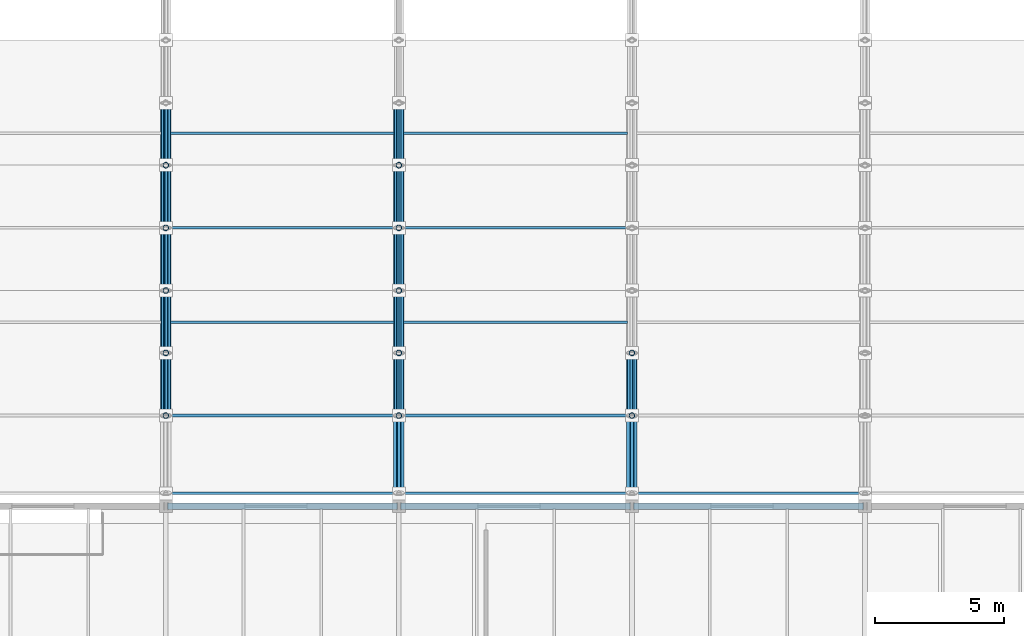
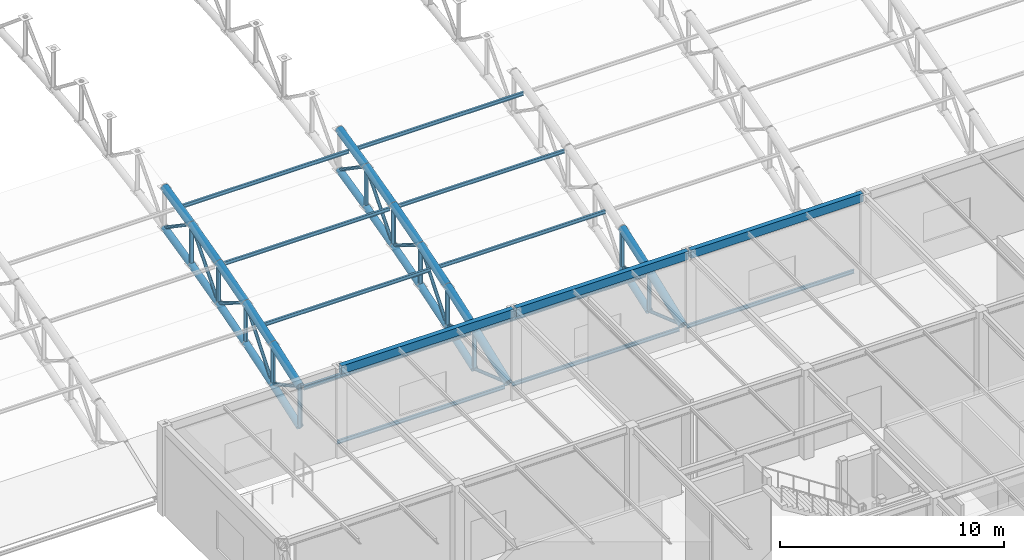
# One storey, part 70 of 195: 60 members, 3 beams.
"""IFC4 building model written with IfcOpenShell, lengths in metres."""

from ifc_helpers import new_model, si_unit, direction, frame, origin, origin_2d, place, context, subcontext, project, spatial, hollow_rectangle, hollow_circle, i_section, extrude, material, material_profile, profile_set, type_object, element, save


model = new_model("IFC4")

# Units and contexts
model_context = context("Model", 3, precision=1e-05, world=origin(), true_north=direction((0.0, 1.0)))
body_context = subcontext(model_context, "Body", "Model", "MODEL_VIEW")
ifc_project = project(units=[si_unit("LENGTHUNIT", "METRE"), si_unit("AREAUNIT", "SQUARE_METRE"), si_unit("VOLUMEUNIT", "CUBIC_METRE"), si_unit("PLANEANGLEUNIT", "RADIAN"), si_unit("MASSUNIT", "GRAM", prefix="KILO")], contexts=[model_context])

# Site, building, storey
site_placement = place(None, origin())
site = spatial("IfcSite", under=ifc_project, at=site_placement, CompositionType="ELEMENT")
building_placement = place(site_placement, origin())
building = spatial("IfcBuilding", under=site, at=building_placement, Name="Marlcrest Central Station", CompositionType="ELEMENT")
storey_placement = place(building_placement, frame((0.0, 0.0, 9.800048828125)))
storey = spatial("IfcBuildingStorey", under=building, at=storey_placement, Name="L02", CompositionType="ELEMENT", Elevation=9.800048828125)

# Members
ifc_material = material(Name="Steel S355", Category="steel")
ifc_material_profile_1 = material_profile(ifc_material, hollow_circle(Radius=0.203125, WallThickness=0.02001953125, at=origin_2d()), Name="CHS 406.4x20")
ifc_profile_set_1 = profile_set([ifc_material_profile_1], Name="Steel S355")
member_type_1 = type_object("IfcMemberType", Name="AC-01", PredefinedType="CHORD", material=ifc_profile_set_1)
member_1_placement = place(storey_placement, frame((162.0, 36.5, 1.599853515625), z_axis=(0.0, 0.94353735649, 0.331266142109), x_axis=(-1.0, 0.0, 0.0)))
element("IfcMember", 1, at=member_1_placement, inside=storey, type_object=member_type_1, Name="mem-AC-01-L02-01324", PredefinedType="CHORD", context=body_context, shape_type="SweptSolid", body=[
    extrude(hollow_circle(Radius=0.203125, WallThickness=0.02001953125, at=origin_2d()), origin(), (0.0, 0.0, 1.0), 2.564697265625),
])
member_2_placement = place(storey_placement, frame((162.0, 38.919921875, 2.449462890625), z_axis=(0.0, 0.952116828449, 0.305734435391), x_axis=(-1.0, 0.0, 0.0)))
element("IfcMember", 2, at=member_2_placement, inside=storey, type_object=member_type_1, Name="mem-AC-01-L02-01328", PredefinedType="CHORD", context=body_context, shape_type="SweptSolid", body=[
    extrude(hollow_circle(Radius=0.203125, WallThickness=0.02001953125, at=origin_2d()), origin(), (0.0, 0.0, 1.0), 2.53125),
])
member_3_placement = place(storey_placement, frame((162.0, 41.330078125, 3.223388671875), z_axis=(0.0, 0.960130083362, 0.27955361386), x_axis=(-1.0, 0.0, 0.0)))
element("IfcMember", 3, at=member_3_placement, inside=storey, type_object=member_type_1, Name="mem-AC-01-L02-01332", PredefinedType="CHORD", context=body_context, shape_type="SweptSolid", body=[
    extrude(hollow_circle(Radius=0.203125, WallThickness=0.02001953125, at=origin_2d()), origin(), (0.0, 0.0, 1.0), 2.5205078125),
])
member_4_placement = place(storey_placement, frame((162.0, 43.75, 3.927978515625), z_axis=(0.0, 0.967539481681, 0.252719906989), x_axis=(-1.0, 0.0, 0.0)))
element("IfcMember", 4, at=member_4_placement, inside=storey, type_object=member_type_1, Name="mem-AC-01-L02-01336", PredefinedType="CHORD", context=body_context, shape_type="SweptSolid", body=[
    extrude(hollow_circle(Radius=0.203125, WallThickness=0.02001953125, at=origin_2d()), origin(), (0.0, 0.0, 1.0), 2.501220703125),
])
member_5_placement = place(storey_placement, frame((162.0, 46.169921875, 4.56005859375), z_axis=(0.0, 0.974329612642, 0.225126200004), x_axis=(-1.0, 0.0, 0.0)))
element("IfcMember", 5, at=member_5_placement, inside=storey, type_object=member_type_1, Name="mem-AC-01-L02-01340", PredefinedType="CHORD", context=body_context, shape_type="SweptSolid", body=[
    extrude(hollow_circle(Radius=0.203125, WallThickness=0.02001953125, at=origin_2d()), origin(), (0.0, 0.0, 1.0), 2.4736328125),
])
member_6_placement = place(storey_placement, frame((171.0, 33.5, 0.44580078125), z_axis=(0.0, 0.933324071143, 0.359035065453), x_axis=(-1.0, 0.0, 0.0)))
element("IfcMember", 6, at=member_6_placement, inside=storey, type_object=member_type_1, Name="mem-AC-01-L02-01438", PredefinedType="CHORD", context=body_context, shape_type="SweptSolid", body=[
    extrude(hollow_circle(Radius=0.203125, WallThickness=0.02001953125, at=origin_2d()), origin(), (0.0, 0.0, 1.0), 3.21435546875),
])
member_7_placement = place(storey_placement, frame((171.0, 36.5, 1.599853515625), z_axis=(0.0, 0.94353735649, 0.331266142109), x_axis=(-1.0, 0.0, 0.0)))
element("IfcMember", 7, at=member_7_placement, inside=storey, type_object=member_type_1, Name="mem-AC-01-L02-01440", PredefinedType="CHORD", context=body_context, shape_type="SweptSolid", body=[
    extrude(hollow_circle(Radius=0.203125, WallThickness=0.02001953125, at=origin_2d()), origin(), (0.0, 0.0, 1.0), 2.564697265625),
])
member_8_placement = place(storey_placement, frame((171.0, 38.919921875, 2.449462890625), z_axis=(0.0, 0.952116828449, 0.305734435391), x_axis=(-1.0, 0.0, 0.0)))
element("IfcMember", 8, at=member_8_placement, inside=storey, type_object=member_type_1, Name="mem-AC-01-L02-01444", PredefinedType="CHORD", context=body_context, shape_type="SweptSolid", body=[
    extrude(hollow_circle(Radius=0.203125, WallThickness=0.02001953125, at=origin_2d()), origin(), (0.0, 0.0, 1.0), 2.53125),
])
member_9_placement = place(storey_placement, frame((171.0, 41.330078125, 3.223388671875), z_axis=(0.0, 0.960130083362, 0.27955361386), x_axis=(-1.0, 0.0, 0.0)))
element("IfcMember", 9, at=member_9_placement, inside=storey, type_object=member_type_1, Name="mem-AC-01-L02-01448", PredefinedType="CHORD", context=body_context, shape_type="SweptSolid", body=[
    extrude(hollow_circle(Radius=0.203125, WallThickness=0.02001953125, at=origin_2d()), origin(), (0.0, 0.0, 1.0), 2.5205078125),
])
member_10_placement = place(storey_placement, frame((171.0, 43.75, 3.927978515625), z_axis=(0.0, 0.967539481681, 0.252719906989), x_axis=(-1.0, 0.0, 0.0)))
element("IfcMember", 10, at=member_10_placement, inside=storey, type_object=member_type_1, Name="mem-AC-01-L02-01452", PredefinedType="CHORD", context=body_context, shape_type="SweptSolid", body=[
    extrude(hollow_circle(Radius=0.203125, WallThickness=0.02001953125, at=origin_2d()), origin(), (0.0, 0.0, 1.0), 2.501220703125),
])
member_11_placement = place(storey_placement, frame((171.0, 46.169921875, 4.56005859375), z_axis=(0.0, 0.974329612642, 0.225126200004), x_axis=(-1.0, 0.0, 0.0)))
element("IfcMember", 11, at=member_11_placement, inside=storey, type_object=member_type_1, Name="mem-AC-01-L02-01456", PredefinedType="CHORD", context=body_context, shape_type="SweptSolid", body=[
    extrude(hollow_circle(Radius=0.203125, WallThickness=0.02001953125, at=origin_2d()), origin(), (0.0, 0.0, 1.0), 2.4736328125),
])
member_12_placement = place(storey_placement, frame((180.0, 33.5, 0.44580078125), z_axis=(0.0, 0.933324071143, 0.359035065453), x_axis=(-1.0, 0.0, 0.0)))
element("IfcMember", 12, at=member_12_placement, inside=storey, type_object=member_type_1, Name="mem-AC-01-L02-01554", PredefinedType="CHORD", context=body_context, shape_type="SweptSolid", body=[
    extrude(hollow_circle(Radius=0.203125, WallThickness=0.02001953125, at=origin_2d()), origin(), (0.0, 0.0, 1.0), 3.21435546875),
])
member_13_placement = place(storey_placement, frame((180.0, 36.5, 1.599853515625), z_axis=(0.0, 0.94353735649, 0.331266142109), x_axis=(-1.0, 0.0, 0.0)))
element("IfcMember", 13, at=member_13_placement, inside=storey, type_object=member_type_1, Name="mem-AC-01-L02-01556", PredefinedType="CHORD", context=body_context, shape_type="SweptSolid", body=[
    extrude(hollow_circle(Radius=0.203125, WallThickness=0.02001953125, at=origin_2d()), origin(), (0.0, 0.0, 1.0), 2.564697265625),
])
ifc_material_profile_2 = material_profile(ifc_material, hollow_circle(Radius=0.177734375, WallThickness=0.01611328125, at=origin_2d()), Name="CHS 355.6x16")
ifc_profile_set_2 = profile_set([ifc_material_profile_2], Name="Steel S355")
member_type_2 = type_object("IfcMemberType", Name="AC-02", PredefinedType="CHORD", material=ifc_profile_set_2)
member_14_placement = place(storey_placement, frame((162.0, 36.5, -0.60009765625), z_axis=(0.0, 0.94353735649, 0.331266142109), x_axis=(-1.0, 0.0, 0.0)))
element("IfcMember", 14, at=member_14_placement, inside=storey, type_object=member_type_2, Name="mem-AC-02-L02-01325", PredefinedType="CHORD", context=body_context, shape_type="SweptSolid", body=[
    extrude(hollow_circle(Radius=0.177734375, WallThickness=0.01611328125, at=origin_2d()), origin(), (0.0, 0.0, 1.0), 2.564697265625),
])
member_15_placement = place(storey_placement, frame((162.0, 38.919921875, 0.24951171875), z_axis=(0.0, 0.952116828449, 0.305734435391), x_axis=(-1.0, 0.0, 0.0)))
element("IfcMember", 15, at=member_15_placement, inside=storey, type_object=member_type_2, Name="mem-AC-02-L02-01329", PredefinedType="CHORD", context=body_context, shape_type="SweptSolid", body=[
    extrude(hollow_circle(Radius=0.177734375, WallThickness=0.01611328125, at=origin_2d()), origin(), (0.0, 0.0, 1.0), 2.53125),
])
member_16_placement = place(storey_placement, frame((162.0, 41.330078125, 1.0234375), z_axis=(0.0, 0.960130083362, 0.27955361386), x_axis=(-1.0, 0.0, 0.0)))
element("IfcMember", 16, at=member_16_placement, inside=storey, type_object=member_type_2, Name="mem-AC-02-L02-01333", PredefinedType="CHORD", context=body_context, shape_type="SweptSolid", body=[
    extrude(hollow_circle(Radius=0.177734375, WallThickness=0.01611328125, at=origin_2d()), origin(), (0.0, 0.0, 1.0), 2.5205078125),
])
member_17_placement = place(storey_placement, frame((162.0, 43.75, 1.72802734375), z_axis=(0.0, 0.967563345928, 0.252628524946), x_axis=(-1.0, 0.0, 0.0)))
element("IfcMember", 17, at=member_17_placement, inside=storey, type_object=member_type_2, Name="mem-AC-02-L02-01337", PredefinedType="CHORD", context=body_context, shape_type="SweptSolid", body=[
    extrude(hollow_circle(Radius=0.177734375, WallThickness=0.01611328125, at=origin_2d()), origin(), (0.0, 0.0, 1.0), 2.5009765625),
])
member_18_placement = place(storey_placement, frame((162.0, 46.169921875, 2.35986328125), z_axis=(0.0, 0.974307959875, 0.225219891049), x_axis=(-1.0, 0.0, 0.0)))
element("IfcMember", 18, at=member_18_placement, inside=storey, type_object=member_type_2, Name="mem-AC-02-L02-01341", PredefinedType="CHORD", context=body_context, shape_type="SweptSolid", body=[
    extrude(hollow_circle(Radius=0.177734375, WallThickness=0.01611328125, at=origin_2d()), origin(), (0.0, 0.0, 1.0), 2.4736328125),
])
member_19_placement = place(storey_placement, frame((171.0, 36.5, -0.60009765625), z_axis=(0.0, 0.94353735649, 0.331266142109), x_axis=(-1.0, 0.0, 0.0)))
element("IfcMember", 19, at=member_19_placement, inside=storey, type_object=member_type_2, Name="mem-AC-02-L02-01441", PredefinedType="CHORD", context=body_context, shape_type="SweptSolid", body=[
    extrude(hollow_circle(Radius=0.177734375, WallThickness=0.01611328125, at=origin_2d()), origin(), (0.0, 0.0, 1.0), 2.564697265625),
])
member_20_placement = place(storey_placement, frame((171.0, 38.919921875, 0.24951171875), z_axis=(0.0, 0.952116828449, 0.305734435391), x_axis=(-1.0, 0.0, 0.0)))
element("IfcMember", 20, at=member_20_placement, inside=storey, type_object=member_type_2, Name="mem-AC-02-L02-01445", PredefinedType="CHORD", context=body_context, shape_type="SweptSolid", body=[
    extrude(hollow_circle(Radius=0.177734375, WallThickness=0.01611328125, at=origin_2d()), origin(), (0.0, 0.0, 1.0), 2.53125),
])
member_21_placement = place(storey_placement, frame((171.0, 41.330078125, 1.0234375), z_axis=(0.0, 0.960130083362, 0.27955361386), x_axis=(-1.0, 0.0, 0.0)))
element("IfcMember", 21, at=member_21_placement, inside=storey, type_object=member_type_2, Name="mem-AC-02-L02-01449", PredefinedType="CHORD", context=body_context, shape_type="SweptSolid", body=[
    extrude(hollow_circle(Radius=0.177734375, WallThickness=0.01611328125, at=origin_2d()), origin(), (0.0, 0.0, 1.0), 2.5205078125),
])
member_22_placement = place(storey_placement, frame((171.0, 43.75, 1.72802734375), z_axis=(0.0, 0.967563345928, 0.252628524946), x_axis=(-1.0, 0.0, 0.0)))
element("IfcMember", 22, at=member_22_placement, inside=storey, type_object=member_type_2, Name="mem-AC-02-L02-01453", PredefinedType="CHORD", context=body_context, shape_type="SweptSolid", body=[
    extrude(hollow_circle(Radius=0.177734375, WallThickness=0.01611328125, at=origin_2d()), origin(), (0.0, 0.0, 1.0), 2.5009765625),
])
member_23_placement = place(storey_placement, frame((171.0, 46.169921875, 2.35986328125), z_axis=(0.0, 0.974307959875, 0.225219891049), x_axis=(-1.0, 0.0, 0.0)))
element("IfcMember", 23, at=member_23_placement, inside=storey, type_object=member_type_2, Name="mem-AC-02-L02-01457", PredefinedType="CHORD", context=body_context, shape_type="SweptSolid", body=[
    extrude(hollow_circle(Radius=0.177734375, WallThickness=0.01611328125, at=origin_2d()), origin(), (0.0, 0.0, 1.0), 2.4736328125),
])
member_24_placement = place(storey_placement, frame((180.0, 36.5, -0.60009765625), z_axis=(0.0, 0.94353735649, 0.331266142109), x_axis=(-1.0, 0.0, 0.0)))
element("IfcMember", 24, at=member_24_placement, inside=storey, type_object=member_type_2, Name="mem-AC-02-L02-01557", PredefinedType="CHORD", context=body_context, shape_type="SweptSolid", body=[
    extrude(hollow_circle(Radius=0.177734375, WallThickness=0.01611328125, at=origin_2d()), origin(), (0.0, 0.0, 1.0), 2.564697265625),
])
ifc_material_profile_3 = material_profile(ifc_material, hollow_circle(Radius=0.084228515625, WallThickness=0.010009765625, at=origin_2d()), Name="CHS 168.3x10")
ifc_profile_set_3 = profile_set([ifc_material_profile_3], Name="Steel S355")
member_type_3 = type_object("IfcMemberType", Name="AD-01", PredefinedType="BRACE", material=ifc_profile_set_3)
member_25_placement = place(storey_placement, frame((162.0, 36.5, 1.599853515625), z_axis=(0.0, 0.873245653167, -0.487280236851), x_axis=(-1.0, 0.0, 0.0)))
element("IfcMember", 25, at=member_25_placement, inside=storey, type_object=member_type_3, Name="mem-AD-01-L02-01327", PredefinedType="BRACE", context=body_context, shape_type="SweptSolid", body=[
    extrude(hollow_circle(Radius=0.084228515625, WallThickness=0.010009765625, at=origin_2d()), origin(), (0.0, 0.0, 1.0), 2.771240234375),
])
member_26_placement = place(storey_placement, frame((162.0, 38.919921875, 0.24951171875), z_axis=(0.0, 0.62962929743, 0.776895712318), x_axis=(-1.0, 0.0, 0.0)))
element("IfcMember", 26, at=member_26_placement, inside=storey, type_object=member_type_3, Name="mem-AD-01-L02-01331", PredefinedType="BRACE", context=body_context, shape_type="SweptSolid", body=[
    extrude(hollow_circle(Radius=0.084228515625, WallThickness=0.010009765625, at=origin_2d()), origin(), (0.0, 0.0, 1.0), 3.827880859375),
])
member_27_placement = place(storey_placement, frame((162.0, 41.330078125, 3.223388671875), z_axis=(0.0, 0.850687380038, -0.525671933286), x_axis=(-1.0, 0.0, 0.0)))
element("IfcMember", 27, at=member_27_placement, inside=storey, type_object=member_type_3, Name="mem-AD-01-L02-01335", PredefinedType="BRACE", context=body_context, shape_type="SweptSolid", body=[
    extrude(hollow_circle(Radius=0.084228515625, WallThickness=0.010009765625, at=origin_2d()), origin(), (0.0, 0.0, 1.0), 2.8447265625),
])
member_28_placement = place(storey_placement, frame((162.0, 43.75, 1.72802734375), z_axis=(0.0, 0.649624779144, 0.760254987699), x_axis=(-1.0, 0.0, 0.0)))
element("IfcMember", 28, at=member_28_placement, inside=storey, type_object=member_type_3, Name="mem-AD-01-L02-01339", PredefinedType="BRACE", context=body_context, shape_type="SweptSolid", body=[
    extrude(hollow_circle(Radius=0.084228515625, WallThickness=0.010009765625, at=origin_2d()), origin(), (0.0, 0.0, 1.0), 3.72509765625),
])
member_29_placement = place(storey_placement, frame((162.0, 46.169921875, 4.56005859375), z_axis=(0.0, 0.82626275624, -0.563284881432), x_axis=(-1.0, 0.0, 0.0)))
element("IfcMember", 29, at=member_29_placement, inside=storey, type_object=member_type_3, Name="mem-AD-01-L02-01343", PredefinedType="BRACE", context=body_context, shape_type="SweptSolid", body=[
    extrude(hollow_circle(Radius=0.084228515625, WallThickness=0.010009765625, at=origin_2d()), origin(), (0.0, 0.0, 1.0), 2.9169921875),
])
member_30_placement = place(storey_placement, frame((171.0, 36.5, -0.60009765625), z_axis=(0.0, -0.944260188635, 0.329200085296), x_axis=(1.0, 0.0, 0.0)))
element("IfcMember", 30, at=member_30_placement, inside=storey, type_object=member_type_3, Name="mem-AD-01-L02-01439", PredefinedType="BRACE", context=body_context, shape_type="SweptSolid", body=[
    extrude(hollow_circle(Radius=0.084228515625, WallThickness=0.010009765625, at=origin_2d()), origin(), (0.0, 0.0, 1.0), 3.177001953125),
])
member_31_placement = place(storey_placement, frame((171.0, 36.5, 1.599853515625), z_axis=(0.0, 0.873245653167, -0.487280236851), x_axis=(-1.0, 0.0, 0.0)))
element("IfcMember", 31, at=member_31_placement, inside=storey, type_object=member_type_3, Name="mem-AD-01-L02-01443", PredefinedType="BRACE", context=body_context, shape_type="SweptSolid", body=[
    extrude(hollow_circle(Radius=0.084228515625, WallThickness=0.010009765625, at=origin_2d()), origin(), (0.0, 0.0, 1.0), 2.771240234375),
])
member_32_placement = place(storey_placement, frame((171.0, 38.919921875, 0.24951171875), z_axis=(0.0, 0.62962929743, 0.776895712318), x_axis=(-1.0, 0.0, 0.0)))
element("IfcMember", 32, at=member_32_placement, inside=storey, type_object=member_type_3, Name="mem-AD-01-L02-01447", PredefinedType="BRACE", context=body_context, shape_type="SweptSolid", body=[
    extrude(hollow_circle(Radius=0.084228515625, WallThickness=0.010009765625, at=origin_2d()), origin(), (0.0, 0.0, 1.0), 3.827880859375),
])
member_33_placement = place(storey_placement, frame((171.0, 41.330078125, 3.223388671875), z_axis=(0.0, 0.850687380038, -0.525671933286), x_axis=(-1.0, 0.0, 0.0)))
element("IfcMember", 33, at=member_33_placement, inside=storey, type_object=member_type_3, Name="mem-AD-01-L02-01451", PredefinedType="BRACE", context=body_context, shape_type="SweptSolid", body=[
    extrude(hollow_circle(Radius=0.084228515625, WallThickness=0.010009765625, at=origin_2d()), origin(), (0.0, 0.0, 1.0), 2.8447265625),
])
member_34_placement = place(storey_placement, frame((171.0, 43.75, 1.72802734375), z_axis=(0.0, 0.649624779144, 0.760254987699), x_axis=(-1.0, 0.0, 0.0)))
element("IfcMember", 34, at=member_34_placement, inside=storey, type_object=member_type_3, Name="mem-AD-01-L02-01455", PredefinedType="BRACE", context=body_context, shape_type="SweptSolid", body=[
    extrude(hollow_circle(Radius=0.084228515625, WallThickness=0.010009765625, at=origin_2d()), origin(), (0.0, 0.0, 1.0), 3.72509765625),
])
member_35_placement = place(storey_placement, frame((171.0, 46.169921875, 4.56005859375), z_axis=(0.0, 0.82626275624, -0.563284881432), x_axis=(-1.0, 0.0, 0.0)))
element("IfcMember", 35, at=member_35_placement, inside=storey, type_object=member_type_3, Name="mem-AD-01-L02-01459", PredefinedType="BRACE", context=body_context, shape_type="SweptSolid", body=[
    extrude(hollow_circle(Radius=0.084228515625, WallThickness=0.010009765625, at=origin_2d()), origin(), (0.0, 0.0, 1.0), 2.9169921875),
])
member_36_placement = place(storey_placement, frame((180.0, 36.5, -0.60009765625), z_axis=(0.0, -0.944260188635, 0.329200085296), x_axis=(1.0, 0.0, 0.0)))
element("IfcMember", 36, at=member_36_placement, inside=storey, type_object=member_type_3, Name="mem-AD-01-L02-01555", PredefinedType="BRACE", context=body_context, shape_type="SweptSolid", body=[
    extrude(hollow_circle(Radius=0.084228515625, WallThickness=0.010009765625, at=origin_2d()), origin(), (0.0, 0.0, 1.0), 3.177001953125),
])
member_37_placement = place(storey_placement, frame((180.0, 36.5, 1.599853515625), z_axis=(0.0, 0.873245653167, -0.487280236851), x_axis=(-1.0, 0.0, 0.0)))
element("IfcMember", 37, at=member_37_placement, inside=storey, type_object=member_type_3, Name="mem-AD-01-L02-01559", PredefinedType="BRACE", context=body_context, shape_type="SweptSolid", body=[
    extrude(hollow_circle(Radius=0.084228515625, WallThickness=0.010009765625, at=origin_2d()), origin(), (0.0, 0.0, 1.0), 2.771240234375),
])
ifc_material_profile_4 = material_profile(ifc_material, hollow_circle(Radius=0.109619140625, WallThickness=0.012451171875, at=origin_2d()), Name="CHS 219.1x12.5")
ifc_profile_set_4 = profile_set([ifc_material_profile_4], Name="Steel S355")
member_type_4 = type_object("IfcMemberType", Name="AP-01", PredefinedType="POST", material=ifc_profile_set_4)
for number, where, z_axis, x_axis, name in (
    (38, (162.0, 36.5, -0.60009765625), (0.0, 0.0, 1.0), (1.0, 0.0, 0.0), "mem-AP-01-L02-01326"),
    (39, (162.0, 38.919921875, 0.24951171875), (0.0, 0.0, 1.0), (1.0, 0.0, 0.0), "mem-AP-01-L02-01330"),
    (40, (162.0, 41.330078125, 1.0234375), (0.0, 0.0, 1.0), (1.0, 0.0, 0.0), "mem-AP-01-L02-01334"),
    (41, (162.0, 43.75, 1.72802734375), (0.0, 0.0, 1.0), (1.0, 0.0, 0.0), "mem-AP-01-L02-01338"),
):
    element("IfcMember", number, at=place(storey_placement, frame(where, z_axis=z_axis, x_axis=x_axis)), inside=storey, type_object=member_type_4, Name=name, PredefinedType="POST", context=body_context, shape_type="SweptSolid", body=[
        extrude(hollow_circle(Radius=0.109619140625, WallThickness=0.012451171875, at=origin_2d()), origin(), (0.0, 0.0, 1.0), 2.199951171875),
    ])
member_38_placement = place(storey_placement, frame((162.0, 46.169921875, 2.35986328125), z_axis=(0.0, 0.0, 1.0), x_axis=(1.0, 0.0, 0.0)))
element("IfcMember", 42, at=member_38_placement, inside=storey, type_object=member_type_4, Name="mem-AP-01-L02-01342", PredefinedType="POST", context=body_context, shape_type="SweptSolid", body=[
    extrude(hollow_circle(Radius=0.109619140625, WallThickness=0.012451171875, at=origin_2d()), origin(), (0.0, 0.0, 1.0), 2.2001953125),
])
for number, where, z_axis, x_axis, name in (
    (43, (171.0, 36.5, -0.60009765625), (0.0, 0.0, 1.0), (1.0, 0.0, 0.0), "mem-AP-01-L02-01442"),
    (44, (171.0, 38.919921875, 0.24951171875), (0.0, 0.0, 1.0), (1.0, 0.0, 0.0), "mem-AP-01-L02-01446"),
    (45, (171.0, 41.330078125, 1.0234375), (0.0, 0.0, 1.0), (1.0, 0.0, 0.0), "mem-AP-01-L02-01450"),
    (46, (171.0, 43.75, 1.72802734375), (0.0, 0.0, 1.0), (1.0, 0.0, 0.0), "mem-AP-01-L02-01454"),
):
    element("IfcMember", number, at=place(storey_placement, frame(where, z_axis=z_axis, x_axis=x_axis)), inside=storey, type_object=member_type_4, Name=name, PredefinedType="POST", context=body_context, shape_type="SweptSolid", body=[
        extrude(hollow_circle(Radius=0.109619140625, WallThickness=0.012451171875, at=origin_2d()), origin(), (0.0, 0.0, 1.0), 2.199951171875),
    ])
member_39_placement = place(storey_placement, frame((171.0, 46.169921875, 2.35986328125), z_axis=(0.0, 0.0, 1.0), x_axis=(1.0, 0.0, 0.0)))
element("IfcMember", 47, at=member_39_placement, inside=storey, type_object=member_type_4, Name="mem-AP-01-L02-01458", PredefinedType="POST", context=body_context, shape_type="SweptSolid", body=[
    extrude(hollow_circle(Radius=0.109619140625, WallThickness=0.012451171875, at=origin_2d()), origin(), (0.0, 0.0, 1.0), 2.2001953125),
])
for number, where, z_axis, x_axis, name in (
    (48, (180.0, 36.5, -0.60009765625), (0.0, 0.0, 1.0), (1.0, 0.0, 0.0), "mem-AP-01-L02-01558"),
    (49, (180.0, 38.919921875, 0.24951171875), (0.0, 0.0, 1.0), (1.0, 0.0, 0.0), "mem-AP-01-L02-01562"),
):
    element("IfcMember", number, at=place(storey_placement, frame(where, z_axis=z_axis, x_axis=x_axis)), inside=storey, type_object=member_type_4, Name=name, PredefinedType="POST", context=body_context, shape_type="SweptSolid", body=[
        extrude(hollow_circle(Radius=0.109619140625, WallThickness=0.012451171875, at=origin_2d()), origin(), (0.0, 0.0, 1.0), 2.199951171875),
    ])
ifc_material_profile_5 = material_profile(ifc_material, i_section(OverallWidth=0.10009765625, OverallDepth=0.199951171875, WebThickness=0.005615234375, FlangeThickness=0.008544921875, FilletRadius=0.011962890625, at=origin_2d()), Name="IPE 200")
ifc_profile_set_5 = profile_set([ifc_material_profile_5], Name="Steel S355")
member_type_5 = type_object("IfcMemberType", Name="PR-01", PredefinedType="PURLIN", material=ifc_profile_set_5)
for number, where, z_axis, x_axis, name in (
    (50, (162.179931640625, 33.5, 0.3056640625), (1.0, 0.0, 0.0), (0.0, 1.0, 0.0), "mem-PR-01-L02-01423"),
    (51, (162.179931640625, 40.10009765625, 2.697509765625), (1.0, 0.0, 0.0), (0.0, 1.0, 0.0), "mem-PR-01-L02-01425"),
    (52, (162.179931640625, 43.75, 3.7880859375), (1.0, 0.0, 0.0), (0.0, 1.0, 0.0), "mem-PR-01-L02-01426"),
    (53, (162.179931640625, 47.39990234375, 4.713134765625), (1.0, 0.0, 0.0), (0.0, 1.0, 0.0), "mem-PR-01-L02-01427"),
    (54, (171.179931640625, 33.5, 0.3056640625), (1.0, 0.0, 0.0), (0.0, 1.0, 0.0), "mem-PR-01-L02-01539"),
    (55, (171.179931640625, 40.10009765625, 2.697509765625), (1.0, 0.0, 0.0), (0.0, 1.0, 0.0), "mem-PR-01-L02-01541"),
    (56, (171.179931640625, 43.75, 3.7880859375), (1.0, 0.0, 0.0), (0.0, 1.0, 0.0), "mem-PR-01-L02-01542"),
    (57, (171.179931640625, 47.39990234375, 4.713134765625), (1.0, 0.0, 0.0), (0.0, 1.0, 0.0), "mem-PR-01-L02-01543"),
    (58, (180.179931640625, 33.5, 0.3056640625), (1.0, 0.0, 0.0), (0.0, 1.0, 0.0), "mem-PR-01-L02-01655"),
):
    element("IfcMember", number, at=place(storey_placement, frame(where, z_axis=z_axis, x_axis=x_axis)), inside=storey, type_object=member_type_5, Name=name, PredefinedType="PURLIN", context=body_context, shape_type="SweptSolid", body=[
        extrude(i_section(OverallWidth=0.10009765625, OverallDepth=0.199951171875, WebThickness=0.005615234375, FlangeThickness=0.008544921875, FilletRadius=0.011962890625, at=origin_2d()), origin(), (0.0, 0.0, 1.0), 8.64013671875),
    ])
ifc_material_profile_6 = material_profile(ifc_material, i_section(OverallWidth=0.1201171875, OverallDepth=0.239990234375, WebThickness=0.006103515625, FlangeThickness=0.009765625, FilletRadius=0.014892578125, at=origin_2d()), Name="IPE 240")
ifc_profile_set_6 = profile_set([ifc_material_profile_6], Name="Steel S355")
member_type_6 = type_object("IfcMemberType", Name="PR-02", PredefinedType="PURLIN", material=ifc_profile_set_6)
for number, where, z_axis, x_axis, name in (
    (59, (162.179931640625, 36.5, 1.4599609375), (1.0, 0.0, 0.0), (0.0, 1.0, 0.0), "mem-PR-02-L02-01424"),
    (60, (171.179931640625, 36.5, 1.4599609375), (1.0, 0.0, 0.0), (0.0, 1.0, 0.0), "mem-PR-02-L02-01540"),
):
    element("IfcMember", number, at=place(storey_placement, frame(where, z_axis=z_axis, x_axis=x_axis)), inside=storey, type_object=member_type_6, Name=name, PredefinedType="PURLIN", context=body_context, shape_type="SweptSolid", body=[
        extrude(i_section(OverallWidth=0.1201171875, OverallDepth=0.239990234375, WebThickness=0.006103515625, FlangeThickness=0.009765625, FilletRadius=0.014892578125, at=origin_2d()), origin(), (0.0, 0.0, 1.0), 8.64013671875),
    ])

# Beams
ifc_material_profile_7 = material_profile(ifc_material, hollow_rectangle(XDim=0.25, YDim=0.449951171875, WallThickness=0.01611328125, at=origin_2d()), Name="RHS 450x250x16")
ifc_profile_set_7 = profile_set([ifc_material_profile_7], Name="Steel S355")
beam_type = type_object("IfcBeamType", Name="SP-02", PredefinedType="SPANDREL", material=ifc_profile_set_7)
for number, where, z_axis, x_axis, name in (
    (61, (162.06005859375, 33.0, 4.64501953125), (1.0, 0.0, 0.0), (0.0, 1.0, 0.0), "bm-SP-02-L02-00974"),
    (62, (171.06005859375, 33.0, 4.64501953125), (1.0, 0.0, 0.0), (0.0, 1.0, 0.0), "bm-SP-02-L02-00975"),
    (63, (180.06005859375, 33.0, 4.64501953125), (1.0, 0.0, 0.0), (0.0, 1.0, 0.0), "bm-SP-02-L02-00976"),
):
    element("IfcBeam", number, at=place(storey_placement, frame(where, z_axis=z_axis, x_axis=x_axis)), inside=storey, type_object=beam_type, Name=name, PredefinedType="SPANDREL", context=body_context, shape_type="SweptSolid", body=[
        extrude(hollow_rectangle(XDim=0.25, YDim=0.449951171875, WallThickness=0.01611328125, at=origin_2d()), origin(), (0.0, 0.0, 1.0), 8.8798828125),
    ])

save(model, "model.ifc")
